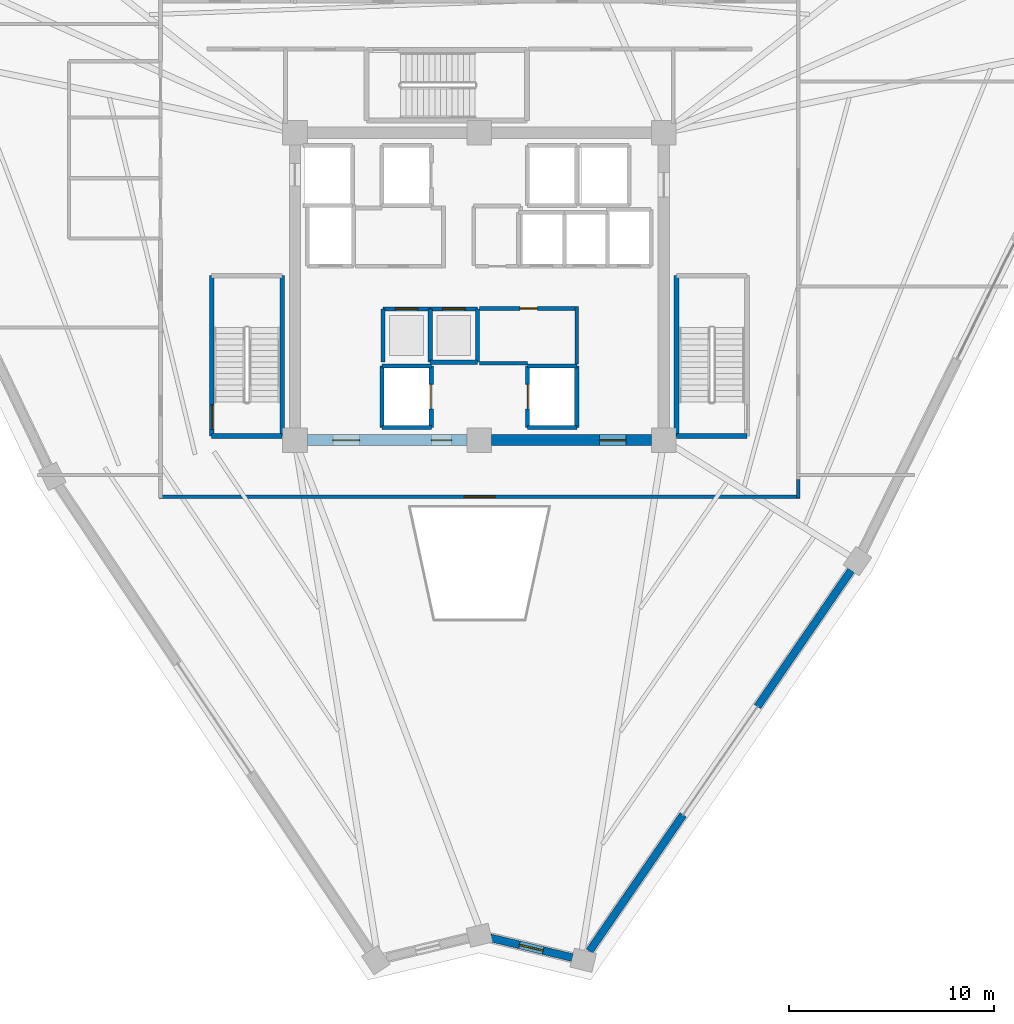
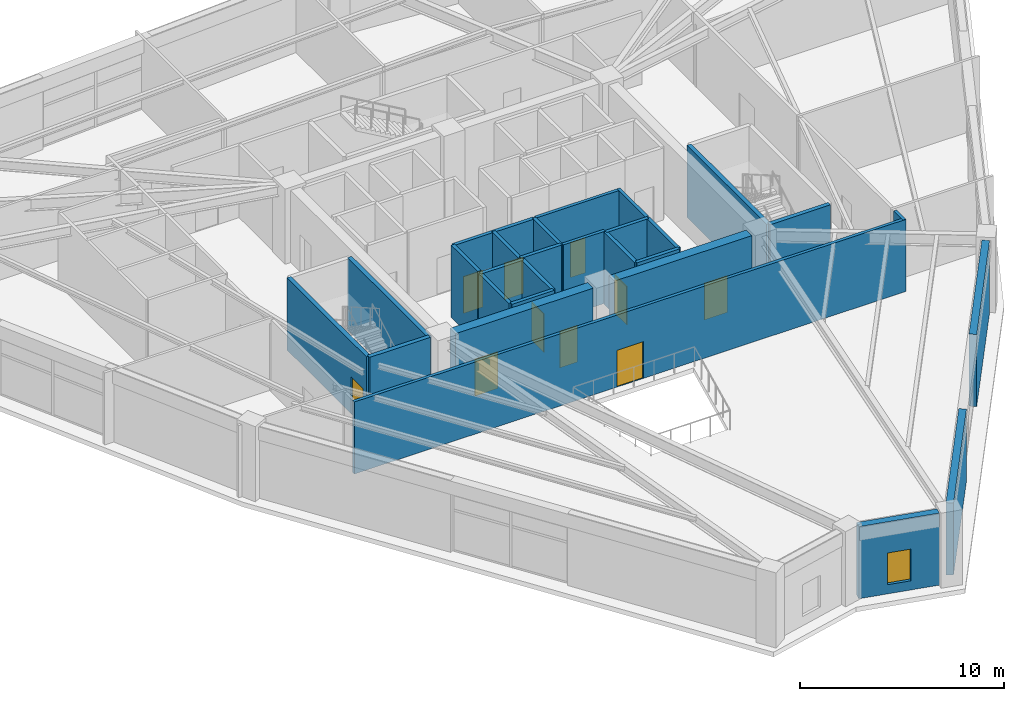
# One storey, part 28 of 35: 29 walls, 10 doors, 1 window, 11 openings.
"""IFC4 building model written with IfcOpenShell, lengths in metres."""

from ifc_helpers import new_model, si_unit, direction, frame, frame_2d, origin, place, context, subcontext, project, spatial, rectangle, extrude, source, transform, mapped, material, layer, layer_set, type_object, element, fill, save


model = new_model("IFC4")

# Units and contexts
model_context = context("Model", 3, precision=1e-05, world=origin(), true_north=direction((0.0, 1.0)))
body_context = subcontext(model_context, "Body", "Model", "MODEL_VIEW")
ifc_project = project(units=[si_unit("LENGTHUNIT", "METRE"), si_unit("AREAUNIT", "SQUARE_METRE"), si_unit("VOLUMEUNIT", "CUBIC_METRE"), si_unit("PLANEANGLEUNIT", "RADIAN"), si_unit("MASSUNIT", "GRAM", prefix="KILO")], contexts=[model_context])

# Site, building, storey
site_placement = place(None, origin())
site = spatial("IfcSite", under=ifc_project, at=site_placement, CompositionType="ELEMENT")
building_placement = place(site_placement, origin())
building = spatial("IfcBuilding", under=site, at=building_placement, Name="Liaohun Quay Tower", CompositionType="ELEMENT")
storey_placement = place(building_placement, frame((0.0, 0.0, 282.0)))
storey = spatial("IfcBuildingStorey", under=building, at=storey_placement, Name="L73", CompositionType="ELEMENT", Elevation=282.0)

# Wall, opening, door
ifc_material_1 = material(Name="Concrete C50", Category="concrete")
ifc_layer_1 = layer(ifc_material_1, 0.550048828125, Name="Concrete C50", Category="concrete")
ifc_layer_set_1 = layer_set([ifc_layer_1], Name="Concrete C50")
wall_type_1 = type_object("IfcWallType", Name="WAL-COR-Z4", PredefinedType="SHEAR", material=ifc_layer_set_1)
wall_1_placement = place(storey_placement, frame((68.39990234375, 46.5, 0.0), z_axis=(0.0, 0.0, 1.0), x_axis=(-1.0, 0.0, 0.0)))
wall_1 = element("IfcWall", 1, at=wall_1_placement, inside=storey, type_object=wall_type_1, Name="L73 Central Core Shear Wall S-E", PredefinedType="SHEAR", context=body_context, shape_type="SweptSolid", body=[
    extrude(rectangle(XDim=7.7998046875, YDim=0.550048828125, at=frame_2d((3.89990234375, 0.0))), origin(), (0.0, 0.0, 1.0), 4.320068359375),
])
shared_shape_1 = source(origin(), body_context, "Body", "SweptSolid", [
    extrude(rectangle(XDim=1.300048828125, YDim=2.199951171875, at=frame_2d((0.64990234375, 1.10009765625))), frame((0.0, 0.284912109375, 0.0), z_axis=(0.0, -1.0, 0.0), x_axis=(1.0, 0.0, 0.0)), (0.0, 0.0, 1.0), 0.570068359375),
])
opening_1_placement = place(wall_1_placement, frame((1.25, 0.0, 0.0)))
opening_1 = element("IfcOpeningElement", 2, at=opening_1_placement, cuts=wall_1, Name="Opening FD1", PredefinedType="OPENING", context=body_context, shape_type="MappedRepresentation", body=[
    mapped(shared_shape_1, transform((0.0, 0.0, 0.0), x_axis=(1.0, 0.0, 0.0), y_axis=(0.0, 1.0, 0.0), z_axis=(0.0, 0.0, 1.0), scale=1.0)),
])
ifc_material_2 = material(Name="Galvanised steel smokeproof fire door", Category="steel")
door_type_1 = type_object("IfcDoorType", Name="DOR-FFL-1300", OperationType="NOTDEFINED", PredefinedType="DOOR", material=ifc_material_2)
shared_shape_2 = source(origin(), body_context, "Body", "SweptSolid", [
    extrude(rectangle(XDim=1.300048828125, YDim=2.199951171875, at=frame_2d((0.64990234375, 1.10009765625))), frame((0.0, 0.02490234375, 0.0), z_axis=(0.0, -1.0, 0.0), x_axis=(1.0, 0.0, 0.0)), (0.0, 0.0, 1.0), 0.050048828125),
])
door_1_placement = place(opening_1_placement, origin())
door_1 = element("IfcDoor", 3, at=door_1_placement, inside=storey, type_object=door_type_1, Name="L73 East Core Lift Lobby Smokeproof Door", OperationType="SINGLE_SWING_LEFT", OverallHeight=2.199951171875, OverallWidth=1.300048828125, PredefinedType="DOOR", context=body_context, shape_type="MappedRepresentation", body=[
    mapped(shared_shape_2, transform((0.0, 0.0, 0.0), x_axis=(1.0, 0.0, 0.0), y_axis=(0.0, 1.0, 0.0), z_axis=(0.0, 0.0, 1.0), scale=1.0)),
])
fill(opening_1, door_1)

# Wall, openings, doors
wall_2_placement = place(storey_placement, frame((59.39990234375, 46.5, 0.0), z_axis=(0.0, 0.0, 1.0), x_axis=(-1.0, 0.0, 0.0)))
wall_2 = element("IfcWall", 4, at=wall_2_placement, inside=storey, type_object=wall_type_1, Name="L73 Central Core Shear Wall S-W", PredefinedType="SHEAR", context=body_context, shape_type="SweptSolid", body=[
    extrude(rectangle(XDim=7.7998046875, YDim=0.550048828125, at=frame_2d((3.89990234375, 0.0))), origin(), (0.0, 0.0, 1.0), 4.320068359375),
])
opening_2_placement = place(wall_2_placement, frame((5.25, 0.0, 0.0)))
opening_2 = element("IfcOpeningElement", 5, at=opening_2_placement, cuts=wall_2, Name="Opening FD1", PredefinedType="OPENING", context=body_context, shape_type="MappedRepresentation", body=[
    mapped(shared_shape_1, transform((0.0, 0.0, 0.0), x_axis=(1.0, 0.0, 0.0), y_axis=(0.0, 1.0, 0.0), z_axis=(0.0, 0.0, 1.0), scale=1.0)),
])
shared_shape_3 = source(origin(), body_context, "Body", "SweptSolid", [
    extrude(rectangle(XDim=1.0, YDim=2.199951171875, at=frame_2d((0.5, 1.10009765625))), frame((0.0, 0.284912109375, 0.0), z_axis=(0.0, -1.0, 0.0), x_axis=(1.0, 0.0, 0.0)), (0.0, 0.0, 1.0), 0.570068359375),
])
opening_3_placement = place(wall_2_placement, frame((0.75, 0.0, 0.0)))
opening_3 = element("IfcOpeningElement", 6, at=opening_3_placement, cuts=wall_2, Name="Opening FD2", PredefinedType="OPENING", context=body_context, shape_type="MappedRepresentation", body=[
    mapped(shared_shape_3, transform((0.0, 0.0, 0.0), x_axis=(1.0, 0.0, 0.0), y_axis=(0.0, 1.0, 0.0), z_axis=(0.0, 0.0, 1.0), scale=1.0)),
])
door_2_placement = place(opening_2_placement, origin())
door_2 = element("IfcDoor", 7, at=door_2_placement, inside=storey, type_object=door_type_1, Name="L73 West Core Lift Lobby Smokeproof Door", OperationType="SINGLE_SWING_RIGHT", OverallHeight=2.199951171875, OverallWidth=1.300048828125, PredefinedType="DOOR", context=body_context, shape_type="MappedRepresentation", body=[
    mapped(shared_shape_2, transform((0.0, 0.0, 0.0), x_axis=(1.0, 0.0, 0.0), y_axis=(0.0, 1.0, 0.0), z_axis=(0.0, 0.0, 1.0), scale=1.0)),
])
fill(opening_2, door_2)
ifc_material_3 = material(Name="Galvanised steel smokeproof lobby fire door", Category="steel")
door_type_2 = type_object("IfcDoorType", Name="DOR-FFL-1000", OperationType="NOTDEFINED", PredefinedType="DOOR", material=ifc_material_3)
shared_shape_4 = source(origin(), body_context, "Body", "SweptSolid", [
    extrude(rectangle(XDim=1.0, YDim=2.199951171875, at=frame_2d((0.5, 1.10009765625))), frame((0.0, 0.02490234375, 0.0), z_axis=(0.0, -1.0, 0.0), x_axis=(1.0, 0.0, 0.0)), (0.0, 0.0, 1.0), 0.050048828125),
])
door_3_placement = place(opening_3_placement, origin())
door_3 = element("IfcDoor", 8, at=door_3_placement, inside=storey, type_object=door_type_2, Name="L73 South Firefighting Lobby Smokeproof Door", OperationType="SINGLE_SWING_LEFT", OverallHeight=2.199951171875, OverallWidth=1.0, PredefinedType="DOOR", context=body_context, shape_type="MappedRepresentation", body=[
    mapped(shared_shape_4, transform((0.0, 0.0, 0.0), x_axis=(1.0, 0.0, 0.0), y_axis=(0.0, 1.0, 0.0), z_axis=(0.0, 0.0, 1.0), scale=1.0)),
])
fill(opening_3, door_3)

# Wall, opening, window
ifc_material_4 = material(Name="Precast concrete C50 insulated sandwich", Category="concrete")
ifc_layer_2 = layer(ifc_material_4, 0.3798828125, Name="Precast concrete C50 insulated sandwich", Category="concrete")
ifc_layer_set_2 = layer_set([ifc_layer_2], Name="Precast concrete C50 insulated sandwich")
wall_type_2 = type_object("IfcWallType", Name="WAL-EXT-Z34", PredefinedType="SOLIDWALL", material=ifc_layer_set_2)
wall_3_placement = place(storey_placement, frame((60.52490234375, 22.217041015625, 0.0), z_axis=(0.0, 0.0, 1.0), x_axis=(0.972106861023, -0.234538377994, 0.0)))
wall_3 = element("IfcWall", 9, at=wall_3_placement, inside=storey, type_object=wall_type_2, Name="L73 Corner Notch Precast Pier Wall 01", PredefinedType="SOLIDWALL", context=body_context, shape_type="SweptSolid", body=[
    extrude(rectangle(XDim=4.12744140625, YDim=0.3798828125, at=frame_2d((2.063720703125, 0.0))), origin(), (0.0, 0.0, 1.0), 4.320068359375),
])
shared_shape_5 = source(origin(), body_context, "Body", "SweptSolid", [
    extrude(rectangle(XDim=1.199951171875, YDim=1.89990234375, at=frame_2d((0.60009765625, 0.949951171875))), frame((0.0, 0.199951171875, 0.0), z_axis=(0.0, -1.0, 0.0), x_axis=(1.0, 0.0, 0.0)), (0.0, 0.0, 1.0), 0.39990234375),
])
opening_4_placement = place(wall_3_placement, frame((1.464111328125, 0.0, 0.550048828125)))
opening_4 = element("IfcOpeningElement", 10, at=opening_4_placement, cuts=wall_3, Name="Opening W05", PredefinedType="OPENING", context=body_context, shape_type="MappedRepresentation", body=[
    mapped(shared_shape_5, transform((0.0, 0.0, 0.0), x_axis=(1.0, 0.0, 0.0), y_axis=(0.0, 1.0, 0.0), z_axis=(0.0, 0.0, 1.0), scale=1.0)),
])
ifc_material_5 = material(Name="Triple Low-E corner notch glazing", Category="glass")
window_type = type_object("IfcWindowType", Name="WIN-NOTCH", PartitioningType="SINGLE_PANEL", PredefinedType="WINDOW", material=ifc_material_5)
shared_shape_6 = source(origin(), body_context, "Body", "SweptSolid", [
    extrude(rectangle(XDim=1.199951171875, YDim=1.89990234375, at=frame_2d((0.60009765625, 0.949951171875))), frame((0.0, 0.030029296875, 0.0), z_axis=(0.0, -1.0, 0.0), x_axis=(1.0, 0.0, 0.0)), (0.0, 0.0, 1.0), 0.06005859375),
])
window_placement = place(opening_4_placement, origin())
window = element("IfcWindow", 11, at=window_placement, inside=storey, type_object=window_type, Name="L73 Corner Notch Window W05-01", OverallHeight=1.89990234375, OverallWidth=1.199951171875, PartitioningType="SINGLE_PANEL", PredefinedType="WINDOW", context=body_context, shape_type="MappedRepresentation", body=[
    mapped(shared_shape_6, transform((0.0, 0.0, 0.0), x_axis=(1.0, 0.0, 0.0), y_axis=(0.0, 1.0, 0.0), z_axis=(0.0, 0.0, 1.0), scale=1.0)),
])
fill(opening_4, window)

# Walls
wall_4_placement = place(storey_placement, frame((65.367919921875, 21.56689453125, 0.0), z_axis=(0.0, 0.0, 1.0), x_axis=(0.566388933661, 0.824138080558, 0.0)))
element("IfcWall", 12, at=wall_4_placement, inside=storey, type_object=wall_type_2, Name="L73 Belvedere Flank Pier Wall 02L", PredefinedType="SOLIDWALL", context=body_context, shape_type="SweptSolid", body=[
    extrude(rectangle(XDim=8.073974609375, YDim=0.3798828125, at=frame_2d((4.037109375, 0.0))), origin(), (0.0, 0.0, 1.0), 4.320068359375),
])
wall_5_placement = place(storey_placement, frame((73.56591796875, 33.4951171875, 0.0), z_axis=(0.0, 0.0, 1.0), x_axis=(0.566403048529, 0.824128379937, 0.0)))
element("IfcWall", 13, at=wall_5_placement, inside=storey, type_object=wall_type_2, Name="L73 Belvedere Flank Pier Wall 02R", PredefinedType="SOLIDWALL", context=body_context, shape_type="SweptSolid", body=[
    extrude(rectangle(XDim=8.07373046875, YDim=0.3798828125, at=frame_2d((4.036865234375, 0.0))), origin(), (0.0, 0.0, 1.0), 4.320068359375),
])

# Wall, opening, door
ifc_material_6 = material(Name="Autoclaved aerated concrete blockwork", Category="masonry")
ifc_layer_3 = layer(ifc_material_6, 0.179931640625, Name="Autoclaved aerated concrete blockwork", Category="masonry")
ifc_layer_set_3 = layer_set([ifc_layer_3], Name="Autoclaved aerated concrete blockwork")
wall_type_3 = type_object("IfcWallType", Name="WAL-PRT-COR", PredefinedType="PARTITIONING", material=ifc_layer_set_3)
wall_6_placement = place(storey_placement, frame((60.0, 52.919921875, 0.0), z_axis=(0.0, 0.0, 1.0), x_axis=(1.0, 0.0, 0.0)))
wall_6 = element("IfcWall", 14, at=wall_6_placement, inside=storey, type_object=wall_type_3, Name="L73 Interior Partition Wall 002", PredefinedType="PARTITIONING", context=body_context, shape_type="SweptSolid", body=[
    extrude(rectangle(XDim=4.659912109375, YDim=0.179931640625, at=frame_2d((2.330078125, 0.0))), origin(), (0.0, 0.0, 1.0), 4.320068359375),
])
shared_shape_7 = source(origin(), body_context, "Body", "SweptSolid", [
    extrude(rectangle(XDim=0.85009765625, YDim=2.10009765625, at=frame_2d((0.425048828125, 1.050048828125))), frame((0.0, 0.099853515625, 0.0), z_axis=(0.0, -1.0, 0.0), x_axis=(1.0, 0.0, 0.0)), (0.0, 0.0, 1.0), 0.199951171875),
])
opening_5_placement = place(wall_6_placement, frame((1.97509765625, 0.0, 0.0)))
opening_5 = element("IfcOpeningElement", 15, at=opening_5_placement, cuts=wall_6, Name="Opening AD1", PredefinedType="OPENING", context=body_context, shape_type="MappedRepresentation", body=[
    mapped(shared_shape_7, transform((0.0, 0.0, 0.0), x_axis=(1.0, 0.0, 0.0), y_axis=(0.0, 1.0, 0.0), z_axis=(0.0, 0.0, 1.0), scale=1.0)),
])
ifc_material_7 = material(Name="Steel riser inspection fire door", Category="steel")
door_type_3 = type_object("IfcDoorType", Name="DOR-SHF-850", OperationType="NOTDEFINED", PredefinedType="DOOR", material=ifc_material_7)
shared_shape_8 = source(origin(), body_context, "Body", "SweptSolid", [
    extrude(rectangle(XDim=0.85009765625, YDim=2.10009765625, at=frame_2d((0.425048828125, 1.050048828125))), frame((0.0, 0.02490234375, 0.0), z_axis=(0.0, -1.0, 0.0), x_axis=(1.0, 0.0, 0.0)), (0.0, 0.0, 1.0), 0.050048828125),
])
door_4_placement = place(opening_5_placement, origin())
door_4 = element("IfcDoor", 16, at=door_4_placement, inside=storey, type_object=door_type_3, Name="L73 Core Electrical Switch and BMS Room Door", OperationType="SINGLE_SWING_RIGHT", OverallHeight=2.10009765625, OverallWidth=0.85009765625, PredefinedType="DOOR", context=body_context, shape_type="MappedRepresentation", body=[
    mapped(shared_shape_8, transform((0.0, 0.0, 0.0), x_axis=(1.0, 0.0, 0.0), y_axis=(0.0, 1.0, 0.0), z_axis=(0.0, 0.0, 1.0), scale=1.0)),
])
fill(opening_5, door_4)

wall_7_placement = place(storey_placement, frame((75.6298828125, 43.739990234375, 0.0), z_axis=(0.0, 0.0, 1.0), x_axis=(-1.0, 0.0, 0.0)))
wall_7 = element("IfcWall", 17, at=wall_7_placement, inside=storey, type_object=wall_type_3, Name="L73 Interior Partition Wall 018", PredefinedType="PARTITIONING", context=body_context, shape_type="SweptSolid", body=[
    extrude(rectangle(XDim=31.259765625, YDim=0.179931640625, at=frame_2d((15.6298828125, 0.0))), origin(), (0.0, 0.0, 1.0), 4.320068359375),
])
shared_shape_9 = source(origin(), body_context, "Body", "SweptSolid", [
    extrude(rectangle(XDim=1.5, YDim=2.199951171875, at=frame_2d((0.75, 1.10009765625))), frame((0.0, 0.099853515625, 0.0), z_axis=(0.0, -1.0, 0.0), x_axis=(1.0, 0.0, 0.0)), (0.0, 0.0, 1.0), 0.199951171875),
])
opening_6_placement = place(wall_7_placement, frame((14.8798828125, 0.0, 0.0)))
opening_6 = element("IfcOpeningElement", 18, at=opening_6_placement, cuts=wall_7, Name="Opening OD2", PredefinedType="OPENING", context=body_context, shape_type="MappedRepresentation", body=[
    mapped(shared_shape_9, transform((0.0, 0.0, 0.0), x_axis=(1.0, 0.0, 0.0), y_axis=(0.0, 1.0, 0.0), z_axis=(0.0, 0.0, 1.0), scale=1.0)),
])
ifc_material_8 = material(Name="Acoustic oak veneer double door")
door_type_4 = type_object("IfcDoorType", Name="DOR-OFF-1500", OperationType="DOUBLE_DOOR_SINGLE_SWING", PredefinedType="DOOR", material=ifc_material_8)
shared_shape_10 = source(origin(), body_context, "Body", "SweptSolid", [
    extrude(rectangle(XDim=1.5, YDim=2.199951171875, at=frame_2d((0.75, 1.10009765625))), frame((0.0, 0.02490234375, 0.0), z_axis=(0.0, -1.0, 0.0), x_axis=(1.0, 0.0, 0.0)), (0.0, 0.0, 1.0), 0.050048828125),
])
door_5_placement = place(opening_6_placement, origin())
door_5 = element("IfcDoor", 19, at=door_5_placement, inside=storey, type_object=door_type_4, Name="L73 High-Zone Archive Store 08 Door", OperationType="DOUBLE_DOOR_SINGLE_SWING", OverallHeight=2.199951171875, OverallWidth=1.5, PredefinedType="DOOR", context=body_context, shape_type="MappedRepresentation", body=[
    mapped(shared_shape_10, transform((0.0, 0.0, 0.0), x_axis=(1.0, 0.0, 0.0), y_axis=(0.0, 1.0, 0.0), z_axis=(0.0, 0.0, 1.0), scale=1.0)),
])
fill(opening_6, door_5)

# Walls
wall_8_placement = place(storey_placement, frame((75.56005859375, 44.5849609375, 0.0), z_axis=(0.0, 0.0, 1.0), x_axis=(0.0, -1.0, 0.0)))
element("IfcWall", 20, at=wall_8_placement, inside=storey, type_object=wall_type_3, Name="L73 Interior Partition Wall 034", PredefinedType="PARTITIONING", context=body_context, shape_type="SweptSolid", body=[
    extrude(rectangle(XDim=0.9150390625, YDim=0.179931640625, at=frame_2d((0.45751953125, 0.0))), origin(), (0.0, 0.0, 1.0), 4.320068359375),
])
wall_9_placement = place(storey_placement, frame((64.75, 50.219970703125, 0.0), z_axis=(0.0, 0.0, 1.0), x_axis=(0.0, 1.0, 0.0)))
element("IfcWall", 21, at=wall_9_placement, inside=storey, type_object=wall_type_3, Name="L73 Interior Partition Wall 047", PredefinedType="PARTITIONING", context=body_context, shape_type="SweptSolid", body=[
    extrude(rectangle(XDim=2.7900390625, YDim=0.179931640625, at=frame_2d((1.39501953125, 0.0))), origin(), (0.0, 0.0, 1.0), 4.320068359375),
])
wall_10_placement = place(storey_placement, frame((60.0, 50.25, 0.0), z_axis=(0.0, 0.0, 1.0), x_axis=(1.0, 0.0, 0.0)))
element("IfcWall", 22, at=wall_10_placement, inside=storey, type_object=wall_type_3, Name="L73 Interior Partition Wall 048", PredefinedType="PARTITIONING", context=body_context, shape_type="SweptSolid", body=[
    extrude(rectangle(XDim=2.35009765625, YDim=0.179931640625, at=frame_2d((1.175048828125, 0.0))), origin(), (0.0, 0.0, 1.0), 4.320068359375),
])
ifc_layer_4 = layer(ifc_material_1, 0.239990234375, Name="Concrete C50", Category="concrete")
ifc_layer_set_4 = layer_set([ifc_layer_4], Name="Concrete C50")
wall_type_4 = type_object("IfcWallType", Name="WAL-SHF-200", PredefinedType="SOLIDWALL", material=ifc_layer_set_4)
wall_11_placement = place(storey_placement, frame((46.93994140625, 46.699951171875, 0.0), z_axis=(0.0, 0.0, 1.0), x_axis=(1.0, 0.0, 0.0)))
element("IfcWall", 23, at=wall_11_placement, inside=storey, type_object=wall_type_4, Name="L73 Stairwell ST-1 Structural Core Wall S", PredefinedType="SOLIDWALL", context=body_context, shape_type="SweptSolid", body=[
    extrude(rectangle(XDim=3.43994140625, YDim=0.239990234375, at=frame_2d((1.719970703125, 0.0))), origin(), (0.0, 0.0, 1.0), 4.320068359375),
])
wall_12_placement = place(storey_placement, frame((50.3798828125, 46.699951171875, 0.0), z_axis=(0.0, 0.0, 1.0), x_axis=(0.0, 1.0, 0.0)))
element("IfcWall", 24, at=wall_12_placement, inside=storey, type_object=wall_type_4, Name="L73 Stairwell ST-1 Structural Core Wall E", PredefinedType="SOLIDWALL", context=body_context, shape_type="SweptSolid", body=[
    extrude(rectangle(XDim=7.820068359375, YDim=0.239990234375, at=frame_2d((3.91015625, 0.0))), origin(), (0.0, 0.0, 1.0), 4.320068359375),
])

# Wall, opening, door
wall_13_placement = place(storey_placement, frame((46.93994140625, 54.52001953125, 0.0), z_axis=(0.0, 0.0, 1.0), x_axis=(0.0, -1.0, 0.0)))
wall_13 = element("IfcWall", 25, at=wall_13_placement, inside=storey, type_object=wall_type_4, Name="L73 Stairwell ST-1 Structural Core Wall W", PredefinedType="SOLIDWALL", context=body_context, shape_type="SweptSolid", body=[
    extrude(rectangle(XDim=7.820068359375, YDim=0.239990234375, at=frame_2d((3.91015625, 0.0))), origin(), (0.0, 0.0, 1.0), 4.320068359375),
])
shared_shape_11 = source(origin(), body_context, "Body", "SweptSolid", [
    extrude(rectangle(XDim=1.199951171875, YDim=2.199951171875, at=frame_2d((0.60009765625, 1.10009765625))), frame((0.0, 0.1298828125, 0.0), z_axis=(0.0, -1.0, 0.0), x_axis=(1.0, 0.0, 0.0)), (0.0, 0.0, 1.0), 0.260009765625),
])
opening_7_placement = place(wall_13_placement, frame((6.300048828125, 0.0, 0.0)))
opening_7 = element("IfcOpeningElement", 26, at=opening_7_placement, cuts=wall_13, Name="Opening SD1", PredefinedType="OPENING", context=body_context, shape_type="MappedRepresentation", body=[
    mapped(shared_shape_11, transform((0.0, 0.0, 0.0), x_axis=(1.0, 0.0, 0.0), y_axis=(0.0, 1.0, 0.0), z_axis=(0.0, 0.0, 1.0), scale=1.0)),
])
ifc_material_9 = material(Name="Galvanised steel fire door", Category="steel")
door_type_5 = type_object("IfcDoorType", Name="DOR-STR-1200", OperationType="NOTDEFINED", PredefinedType="DOOR", material=ifc_material_9)
shared_shape_12 = source(origin(), body_context, "Body", "SweptSolid", [
    extrude(rectangle(XDim=1.199951171875, YDim=2.199951171875, at=frame_2d((0.60009765625, 1.10009765625))), frame((0.0, 0.02490234375, 0.0), z_axis=(0.0, -1.0, 0.0), x_axis=(1.0, 0.0, 0.0)), (0.0, 0.0, 1.0), 0.050048828125),
])
door_6_placement = place(opening_7_placement, origin())
door_6 = element("IfcDoor", 27, at=door_6_placement, inside=storey, type_object=door_type_5, Name="L73 Protected Stair ST-1 Fire Door", OperationType="SINGLE_SWING_LEFT", OverallHeight=2.199951171875, OverallWidth=1.199951171875, PredefinedType="DOOR", context=body_context, shape_type="MappedRepresentation", body=[
    mapped(shared_shape_12, transform((0.0, 0.0, 0.0), x_axis=(1.0, 0.0, 0.0), y_axis=(0.0, 1.0, 0.0), z_axis=(0.0, 0.0, 1.0), scale=1.0)),
])
fill(opening_7, door_6)

# Walls
wall_14_placement = place(storey_placement, frame((69.6201171875, 46.699951171875, 0.0), z_axis=(0.0, 0.0, 1.0), x_axis=(1.0, 0.0, 0.0)))
element("IfcWall", 28, at=wall_14_placement, inside=storey, type_object=wall_type_4, Name="L73 Stairwell ST-2 Structural Core Wall S", PredefinedType="SOLIDWALL", context=body_context, shape_type="SweptSolid", body=[
    extrude(rectangle(XDim=3.43994140625, YDim=0.239990234375, at=frame_2d((1.719970703125, 0.0))), origin(), (0.0, 0.0, 1.0), 4.320068359375),
])
wall_15_placement = place(storey_placement, frame((69.6201171875, 54.52001953125, 0.0), z_axis=(0.0, 0.0, 1.0), x_axis=(0.0, -1.0, 0.0)))
element("IfcWall", 29, at=wall_15_placement, inside=storey, type_object=wall_type_4, Name="L73 Stairwell ST-2 Structural Core Wall W", PredefinedType="SOLIDWALL", context=body_context, shape_type="SweptSolid", body=[
    extrude(rectangle(XDim=7.820068359375, YDim=0.239990234375, at=frame_2d((3.91015625, 0.0))), origin(), (0.0, 0.0, 1.0), 4.320068359375),
])
wall_16_placement = place(storey_placement, frame((55.25, 47.1201171875, 0.0), z_axis=(0.0, 0.0, 1.0), x_axis=(1.0, 0.0, 0.0)))
element("IfcWall", 30, at=wall_16_placement, inside=storey, type_object=wall_type_4, Name="L73 Lift FF-01 Hoistway Wall S", PredefinedType="SOLIDWALL", context=body_context, shape_type="SweptSolid", body=[
    extrude(rectangle(XDim=2.39990234375, YDim=0.199951171875, at=frame_2d((1.199951171875, 0.0))), origin(), (0.0, 0.0, 1.0), 4.320068359375),
])

# Wall, opening, door
wall_17_placement = place(storey_placement, frame((57.64990234375, 47.1201171875, 0.0), z_axis=(0.0, 0.0, 1.0), x_axis=(0.0, 1.0, 0.0)))
wall_17 = element("IfcWall", 31, at=wall_17_placement, inside=storey, type_object=wall_type_4, Name="L73 Lift FF-01 Hoistway Wall E", PredefinedType="SOLIDWALL", context=body_context, shape_type="SweptSolid", body=[
    extrude(rectangle(XDim=3.0, YDim=0.199951171875, at=frame_2d((1.5, 0.0))), origin(), (0.0, 0.0, 1.0), 4.320068359375),
])
shared_shape_13 = source(origin(), body_context, "Body", "SweptSolid", [
    extrude(rectangle(XDim=1.199951171875, YDim=2.300048828125, at=frame_2d((0.60009765625, 1.14990234375))), frame((0.0, 0.10986328125, 0.0), z_axis=(0.0, -1.0, 0.0), x_axis=(1.0, 0.0, 0.0)), (0.0, 0.0, 1.0), 0.219970703125),
])
opening_8_placement = place(wall_17_placement, frame((0.89990234375, 0.0, 0.0)))
opening_8 = element("IfcOpeningElement", 32, at=opening_8_placement, cuts=wall_17, Name="Opening LD2", PredefinedType="OPENING", context=body_context, shape_type="MappedRepresentation", body=[
    mapped(shared_shape_13, transform((0.0, 0.0, 0.0), x_axis=(1.0, 0.0, 0.0), y_axis=(0.0, 1.0, 0.0), z_axis=(0.0, 0.0, 1.0), scale=1.0)),
])
ifc_material_10 = material(Name="Brushed stainless steel stretcher landing door", Category="steel")
door_type_6 = type_object("IfcDoorType", Name="DOR-LFT-1200", OperationType="SLIDING_TO_LEFT", PredefinedType="DOOR", material=ifc_material_10)
shared_shape_14 = source(origin(), body_context, "Body", "SweptSolid", [
    extrude(rectangle(XDim=1.199951171875, YDim=2.300048828125, at=frame_2d((0.60009765625, 1.14990234375))), frame((0.0, 0.02490234375, 0.0), z_axis=(0.0, -1.0, 0.0), x_axis=(1.0, 0.0, 0.0)), (0.0, 0.0, 1.0), 0.050048828125),
])
door_7_placement = place(opening_8_placement, origin())
door_7 = element("IfcDoor", 33, at=door_7_placement, inside=storey, type_object=door_type_6, Name="L73 Lift FF-01 Sliding Landing Door", OperationType="SLIDING_TO_LEFT", OverallHeight=2.300048828125, OverallWidth=1.199951171875, PredefinedType="DOOR", context=body_context, shape_type="MappedRepresentation", body=[
    mapped(shared_shape_14, transform((0.0, 0.0, 0.0), x_axis=(1.0, 0.0, 0.0), y_axis=(0.0, 1.0, 0.0), z_axis=(0.0, 0.0, 1.0), scale=1.0)),
])
fill(opening_8, door_7)

# Walls
wall_18_placement = place(storey_placement, frame((57.64990234375, 50.1201171875, 0.0), z_axis=(0.0, 0.0, 1.0), x_axis=(-1.0, 0.0, 0.0)))
element("IfcWall", 34, at=wall_18_placement, inside=storey, type_object=wall_type_4, Name="L73 Lift FF-01 Hoistway Wall N", PredefinedType="SOLIDWALL", context=body_context, shape_type="SweptSolid", body=[
    extrude(rectangle(XDim=2.39990234375, YDim=0.199951171875, at=frame_2d((1.199951171875, 0.0))), origin(), (0.0, 0.0, 1.0), 4.320068359375),
])
wall_19_placement = place(storey_placement, frame((55.25, 50.1201171875, 0.0), z_axis=(0.0, 0.0, 1.0), x_axis=(0.0, -1.0, 0.0)))
element("IfcWall", 35, at=wall_19_placement, inside=storey, type_object=wall_type_4, Name="L73 Lift FF-01 Hoistway Wall W", PredefinedType="SOLIDWALL", context=body_context, shape_type="SweptSolid", body=[
    extrude(rectangle(XDim=3.0, YDim=0.199951171875, at=frame_2d((1.5, 0.0))), origin(), (0.0, 0.0, 1.0), 4.320068359375),
])
wall_20_placement = place(storey_placement, frame((62.35009765625, 47.1201171875, 0.0), z_axis=(0.0, 0.0, 1.0), x_axis=(1.0, 0.0, 0.0)))
element("IfcWall", 36, at=wall_20_placement, inside=storey, type_object=wall_type_4, Name="L73 Lift FF-02 Hoistway Wall S", PredefinedType="SOLIDWALL", context=body_context, shape_type="SweptSolid", body=[
    extrude(rectangle(XDim=2.39990234375, YDim=0.199951171875, at=frame_2d((1.199951171875, 0.0))), origin(), (0.0, 0.0, 1.0), 4.320068359375),
])
wall_21_placement = place(storey_placement, frame((64.75, 47.1201171875, 0.0), z_axis=(0.0, 0.0, 1.0), x_axis=(0.0, 1.0, 0.0)))
element("IfcWall", 37, at=wall_21_placement, inside=storey, type_object=wall_type_4, Name="L73 Lift FF-02 Hoistway Wall E", PredefinedType="SOLIDWALL", context=body_context, shape_type="SweptSolid", body=[
    extrude(rectangle(XDim=3.0, YDim=0.199951171875, at=frame_2d((1.5, 0.0))), origin(), (0.0, 0.0, 1.0), 4.320068359375),
])
wall_22_placement = place(storey_placement, frame((64.75, 50.1201171875, 0.0), z_axis=(0.0, 0.0, 1.0), x_axis=(-1.0, 0.0, 0.0)))
element("IfcWall", 38, at=wall_22_placement, inside=storey, type_object=wall_type_4, Name="L73 Lift FF-02 Hoistway Wall N", PredefinedType="SOLIDWALL", context=body_context, shape_type="SweptSolid", body=[
    extrude(rectangle(XDim=2.39990234375, YDim=0.199951171875, at=frame_2d((1.199951171875, 0.0))), origin(), (0.0, 0.0, 1.0), 4.320068359375),
])

# Wall, opening, door
wall_23_placement = place(storey_placement, frame((62.35009765625, 50.1201171875, 0.0), z_axis=(0.0, 0.0, 1.0), x_axis=(0.0, -1.0, 0.0)))
wall_23 = element("IfcWall", 39, at=wall_23_placement, inside=storey, type_object=wall_type_4, Name="L73 Lift FF-02 Hoistway Wall W", PredefinedType="SOLIDWALL", context=body_context, shape_type="SweptSolid", body=[
    extrude(rectangle(XDim=3.0, YDim=0.199951171875, at=frame_2d((1.5, 0.0))), origin(), (0.0, 0.0, 1.0), 4.320068359375),
])
opening_9_placement = place(wall_23_placement, frame((0.89990234375, 0.0, 0.0)))
opening_9 = element("IfcOpeningElement", 40, at=opening_9_placement, cuts=wall_23, Name="Opening LD2", PredefinedType="OPENING", context=body_context, shape_type="MappedRepresentation", body=[
    mapped(shared_shape_13, transform((0.0, 0.0, 0.0), x_axis=(1.0, 0.0, 0.0), y_axis=(0.0, 1.0, 0.0), z_axis=(0.0, 0.0, 1.0), scale=1.0)),
])
door_8_placement = place(opening_9_placement, origin())
door_8 = element("IfcDoor", 41, at=door_8_placement, inside=storey, type_object=door_type_6, Name="L73 Lift FF-02 Sliding Landing Door", OperationType="SLIDING_TO_LEFT", OverallHeight=2.300048828125, OverallWidth=1.199951171875, PredefinedType="DOOR", context=body_context, shape_type="MappedRepresentation", body=[
    mapped(shared_shape_14, transform((0.0, 0.0, 0.0), x_axis=(1.0, 0.0, 0.0), y_axis=(0.0, 1.0, 0.0), z_axis=(0.0, 0.0, 1.0), scale=1.0)),
])
fill(opening_9, door_8)

# Wall
wall_24_placement = place(storey_placement, frame((57.60009765625, 50.300048828125, 0.0), z_axis=(0.0, 0.0, 1.0), x_axis=(0.0, 1.0, 0.0)))
element("IfcWall", 42, at=wall_24_placement, inside=storey, type_object=wall_type_4, Name="L73 Lift PL-4A Hoistway Wall E", PredefinedType="SOLIDWALL", context=body_context, shape_type="SweptSolid", body=[
    extrude(rectangle(XDim=2.599853515625, YDim=0.199951171875, at=frame_2d((1.2998046875, 0.0))), origin(), (0.0, 0.0, 1.0), 4.320068359375),
])

# Wall, opening, door
wall_25_placement = place(storey_placement, frame((57.60009765625, 52.89990234375, 0.0), z_axis=(0.0, 0.0, 1.0), x_axis=(-1.0, 0.0, 0.0)))
wall_25 = element("IfcWall", 43, at=wall_25_placement, inside=storey, type_object=wall_type_4, Name="L73 Lift PL-4A Hoistway Wall N", PredefinedType="SOLIDWALL", context=body_context, shape_type="SweptSolid", body=[
    extrude(rectangle(XDim=2.300048828125, YDim=0.199951171875, at=frame_2d((1.14990234375, 0.0))), origin(), (0.0, 0.0, 1.0), 4.320068359375),
])
shared_shape_15 = source(origin(), body_context, "Body", "SweptSolid", [
    extrude(rectangle(XDim=1.10009765625, YDim=2.199951171875, at=frame_2d((0.550048828125, 1.10009765625))), frame((0.0, 0.10986328125, 0.0), z_axis=(0.0, -1.0, 0.0), x_axis=(1.0, 0.0, 0.0)), (0.0, 0.0, 1.0), 0.219970703125),
])
opening_10_placement = place(wall_25_placement, frame((0.60009765625, 0.0, 0.0)))
opening_10 = element("IfcOpeningElement", 44, at=opening_10_placement, cuts=wall_25, Name="Opening LD1", PredefinedType="OPENING", context=body_context, shape_type="MappedRepresentation", body=[
    mapped(shared_shape_15, transform((0.0, 0.0, 0.0), x_axis=(1.0, 0.0, 0.0), y_axis=(0.0, 1.0, 0.0), z_axis=(0.0, 0.0, 1.0), scale=1.0)),
])
ifc_material_11 = material(Name="Brushed stainless steel landing door", Category="steel")
door_type_7 = type_object("IfcDoorType", Name="DOR-LFT-1100", OperationType="SLIDING_TO_LEFT", PredefinedType="DOOR", material=ifc_material_11)
shared_shape_16 = source(origin(), body_context, "Body", "SweptSolid", [
    extrude(rectangle(XDim=1.10009765625, YDim=2.199951171875, at=frame_2d((0.550048828125, 1.10009765625))), frame((0.0, 0.02490234375, 0.0), z_axis=(0.0, -1.0, 0.0), x_axis=(1.0, 0.0, 0.0)), (0.0, 0.0, 1.0), 0.050048828125),
])
door_9_placement = place(opening_10_placement, origin())
door_9 = element("IfcDoor", 45, at=door_9_placement, inside=storey, type_object=door_type_7, Name="L73 Lift PL-4A Sliding Landing Door", OperationType="SLIDING_TO_LEFT", OverallHeight=2.199951171875, OverallWidth=1.10009765625, PredefinedType="DOOR", context=body_context, shape_type="MappedRepresentation", body=[
    mapped(shared_shape_16, transform((0.0, 0.0, 0.0), x_axis=(1.0, 0.0, 0.0), y_axis=(0.0, 1.0, 0.0), z_axis=(0.0, 0.0, 1.0), scale=1.0)),
])
fill(opening_10, door_9)

# Walls
wall_26_placement = place(storey_placement, frame((55.300048828125, 52.89990234375, 0.0), z_axis=(0.0, 0.0, 1.0), x_axis=(0.0, -1.0, 0.0)))
element("IfcWall", 46, at=wall_26_placement, inside=storey, type_object=wall_type_4, Name="L73 Lift PL-4A Hoistway Wall W", PredefinedType="SOLIDWALL", context=body_context, shape_type="SweptSolid", body=[
    extrude(rectangle(XDim=2.599853515625, YDim=0.199951171875, at=frame_2d((1.2998046875, 0.0))), origin(), (0.0, 0.0, 1.0), 4.320068359375),
])
wall_27_placement = place(storey_placement, frame((57.60009765625, 50.300048828125, 0.0), z_axis=(0.0, 0.0, 1.0), x_axis=(1.0, 0.0, 0.0)))
element("IfcWall", 47, at=wall_27_placement, inside=storey, type_object=wall_type_4, Name="L73 Lift PL-4B Hoistway Wall S", PredefinedType="SOLIDWALL", context=body_context, shape_type="SweptSolid", body=[
    extrude(rectangle(XDim=2.2998046875, YDim=0.199951171875, at=frame_2d((1.14990234375, 0.0))), origin(), (0.0, 0.0, 1.0), 4.320068359375),
])
wall_28_placement = place(storey_placement, frame((59.89990234375, 50.300048828125, 0.0), z_axis=(0.0, 0.0, 1.0), x_axis=(0.0, 1.0, 0.0)))
element("IfcWall", 48, at=wall_28_placement, inside=storey, type_object=wall_type_4, Name="L73 Lift PL-4B Hoistway Wall E", PredefinedType="SOLIDWALL", context=body_context, shape_type="SweptSolid", body=[
    extrude(rectangle(XDim=2.599853515625, YDim=0.199951171875, at=frame_2d((1.2998046875, 0.0))), origin(), (0.0, 0.0, 1.0), 4.320068359375),
])

# Wall, opening, door
wall_29_placement = place(storey_placement, frame((59.89990234375, 52.89990234375, 0.0), z_axis=(0.0, 0.0, 1.0), x_axis=(-1.0, 0.0, 0.0)))
wall_29 = element("IfcWall", 49, at=wall_29_placement, inside=storey, type_object=wall_type_4, Name="L73 Lift PL-4B Hoistway Wall N", PredefinedType="SOLIDWALL", context=body_context, shape_type="SweptSolid", body=[
    extrude(rectangle(XDim=2.2998046875, YDim=0.199951171875, at=frame_2d((1.14990234375, 0.0))), origin(), (0.0, 0.0, 1.0), 4.320068359375),
])
opening_11_placement = place(wall_29_placement, frame((0.60009765625, 0.0, 0.0)))
opening_11 = element("IfcOpeningElement", 50, at=opening_11_placement, cuts=wall_29, Name="Opening LD1", PredefinedType="OPENING", context=body_context, shape_type="MappedRepresentation", body=[
    mapped(shared_shape_15, transform((0.0, 0.0, 0.0), x_axis=(1.0, 0.0, 0.0), y_axis=(0.0, 1.0, 0.0), z_axis=(0.0, 0.0, 1.0), scale=1.0)),
])
door_10_placement = place(opening_11_placement, origin())
door_10 = element("IfcDoor", 51, at=door_10_placement, inside=storey, type_object=door_type_7, Name="L73 Lift PL-4B Sliding Landing Door", OperationType="SLIDING_TO_LEFT", OverallHeight=2.199951171875, OverallWidth=1.10009765625, PredefinedType="DOOR", context=body_context, shape_type="MappedRepresentation", body=[
    mapped(shared_shape_16, transform((0.0, 0.0, 0.0), x_axis=(1.0, 0.0, 0.0), y_axis=(0.0, 1.0, 0.0), z_axis=(0.0, 0.0, 1.0), scale=1.0)),
])
fill(opening_11, door_10)

save(model, "model.ifc")
